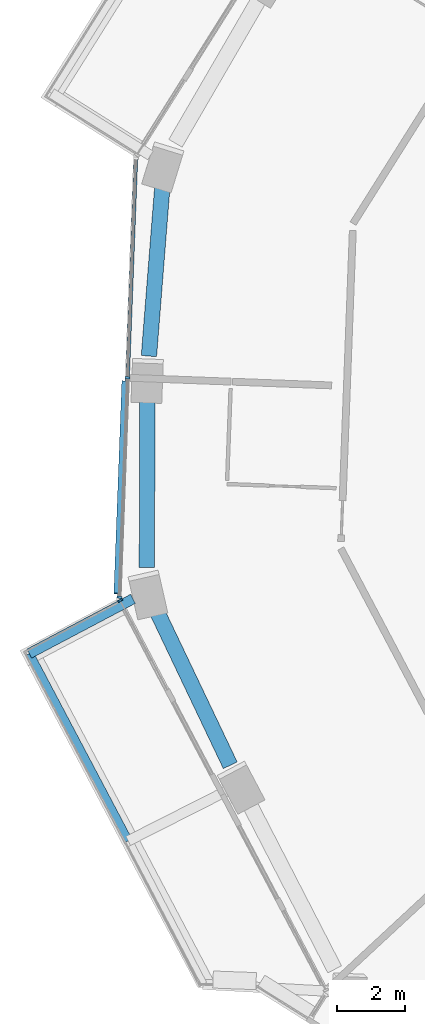
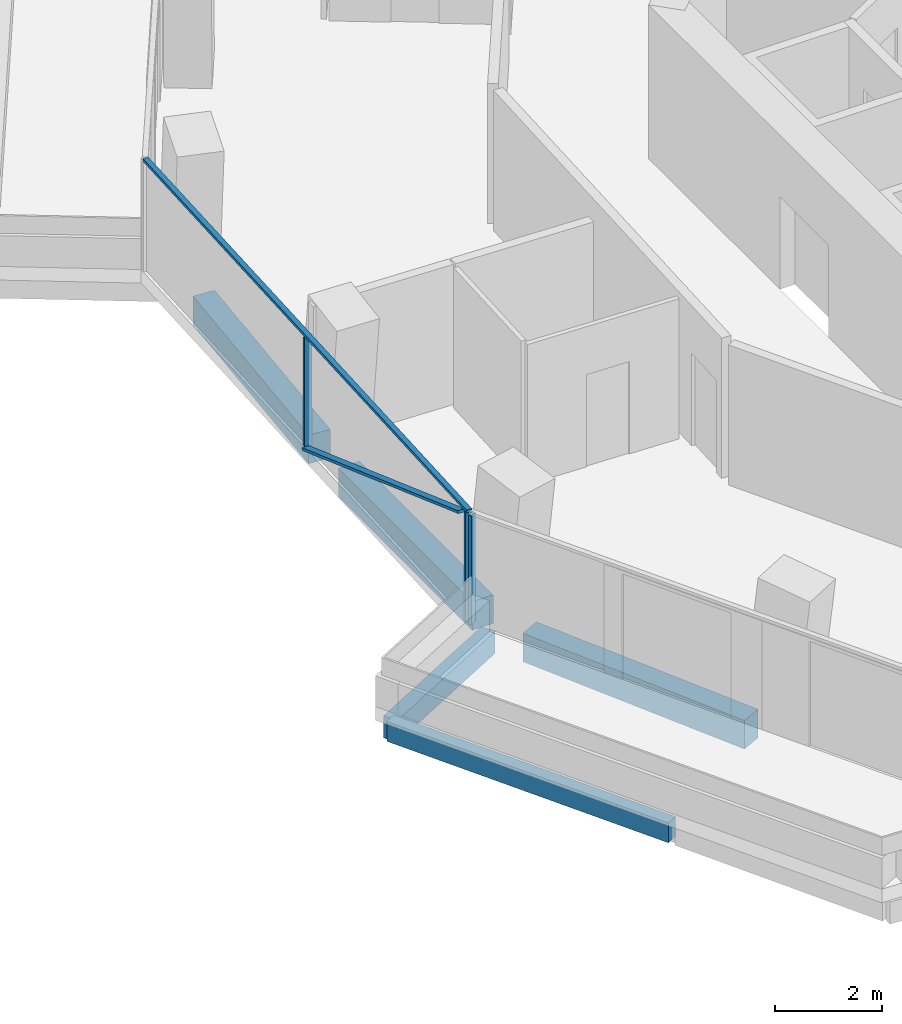
# One storey, part 4 of 23: 5 beams, 5 members, 2 elements without a shape of their own.
"""IFC4 building model written with IfcOpenShell, lengths in metres."""

from ifc_helpers import new_model, si_unit, direction, frame, origin, origin_2d, place, context, subcontext, project, spatial, rectangle, extrude, material, layer, layer_set, material_profile, profile_set, type_object, element, aggregate, save


model = new_model("IFC4")

# Units and contexts
model_context = context("Model", 3, precision=1e-05, world=origin(), true_north=direction((0.0, 1.0)))
body_context = subcontext(model_context, "Body", "Model", "MODEL_VIEW")
ifc_project = project(units=[si_unit("LENGTHUNIT", "METRE"), si_unit("AREAUNIT", "SQUARE_METRE"), si_unit("VOLUMEUNIT", "CUBIC_METRE"), si_unit("PLANEANGLEUNIT", "RADIAN"), si_unit("MASSUNIT", "GRAM", prefix="KILO")], contexts=[model_context])

# Site, building, storey
site_placement = place(None, origin())
site = spatial("IfcSite", under=ifc_project, at=site_placement, CompositionType="ELEMENT")
building_placement = place(site_placement, origin())
building = spatial("IfcBuilding", under=site, at=building_placement, Name="Verdalira Terraces Hotel", CompositionType="ELEMENT")
storey_placement = place(building_placement, frame((0.0, 0.0, 147.0)))
storey = spatial("IfcBuildingStorey", under=building, at=storey_placement, Name="L35", CompositionType="ELEMENT", Elevation=147.0)

# Beams
ifc_material_1 = material(Name="Concrete C40", Category="concrete")
ifc_material_profile_1 = material_profile(ifc_material_1, rectangle(XDim=0.300049, YDim=0.5, at=origin_2d()), Name="RC 300X500")
ifc_profile_set_1 = profile_set([ifc_material_profile_1], Name="Concrete C40")
beam_type_1 = type_object("IfcBeamType", Name="Balcony cantilever beam RC 300X500 C40", PredefinedType="BEAM", material=ifc_profile_set_1)
beam_1_placement = place(storey_placement, frame((-24.009277, -5.559814, -0.560059), z_axis=(-0.884259906, -0.466995094, 0.0), x_axis=(0.466995094, -0.884259906, 0.0)))
element("IfcBeam", 1, at=beam_1_placement, inside=storey, type_object=beam_type_1, Name="Balcony cantilever beam R13-1", PredefinedType="BEAM", context=body_context, shape_type="SweptSolid", body=[
    extrude(rectangle(XDim=0.300049, YDim=0.5, at=origin_2d()), origin(), (0.0, 0.0, 1.0), 3.431641),
])
ifc_material_2 = material(Name="Concrete C40", Category="concrete")
ifc_material_profile_2 = material_profile(ifc_material_2, rectangle(XDim=0.25, YDim=0.449951, at=origin_2d()), Name="RC 250X450")
ifc_profile_set_2 = profile_set([ifc_material_profile_2], Name="Concrete C40")
beam_type_2 = type_object("IfcBeamType", Name="Balcony edge beam RC 250X450 C40", PredefinedType="BEAM", material=ifc_profile_set_2)
beam_2_placement = place(storey_placement, frame((-27.043701, -7.162354, -0.534912), z_axis=(0.46701183, -0.884251068, 0.0), x_axis=(0.884251068, 0.46701183, 0.0)))
element("IfcBeam", 2, at=beam_2_placement, inside=storey, type_object=beam_type_2, Name="Balcony edge beam R13-1", PredefinedType="BEAM", context=body_context, shape_type="SweptSolid", body=[
    extrude(rectangle(XDim=0.25, YDim=0.449951, at=origin_2d()), origin(), (0.0, 0.0, 1.0), 6.200195),
])

# Curtain wall, members
ifc_material_3 = material(Name="Clear glass", Category="glass")
ifc_layer = layer(ifc_material_3, 0.14990234375)
ifc_layer_set = layer_set([ifc_layer], Name="CW1 curtain wall")
curtain_wall_type = type_object("IfcCurtainWallType", Name="CW1 curtain wall", PredefinedType="NOTDEFINED", material=ifc_layer_set)
curtain_wall_1_placement = place(storey_placement, origin())
curtain_wall_1 = element("IfcCurtainWall", 3, at=curtain_wall_1_placement, inside=storey, type_object=curtain_wall_type, Name="CW1 curtain wall L35 edge 12", PredefinedType="NOTDEFINED")
ifc_material_4 = material(Name="Terracotta frame", Category="masonry")
ifc_material_profile_3 = material_profile(ifc_material_4, rectangle(XDim=0.060059, YDim=0.149902, at=origin_2d()), Name="MU 60x150")
ifc_profile_set_3 = profile_set([ifc_material_profile_3], Name="Terracotta frame")
member_type_1 = type_object("IfcMemberType", Name="CW1 mullion 60x150", PredefinedType="MULLION", material=ifc_profile_set_3)
member_1_placement = place(storey_placement, frame((-24.16626, 0.911377, 0.0), z_axis=(0.0, 0.0, 1.0), x_axis=(-0.037690183, -0.999289473, 0.0)))
member_1 = element("IfcMember", 4, at=member_1_placement, type_object=member_type_1, Name="CW1 mullion", PredefinedType="MULLION", context=body_context, shape_type="SweptSolid", body=[
    extrude(rectangle(XDim=0.060059, YDim=0.149902, at=origin_2d()), origin(), (0.0, 0.0, 1.0), 2.475098),
])
member_2_placement = place(storey_placement, frame((-24.408447, -5.513672, 0.0), z_axis=(0.0, 0.0, 1.0), x_axis=(-0.037690183, -0.999289473, 0.0)))
member_2 = element("IfcMember", 5, at=member_2_placement, type_object=member_type_1, Name="CW1 mullion", PredefinedType="MULLION", context=body_context, shape_type="SweptSolid", body=[
    extrude(rectangle(XDim=0.060059, YDim=0.149902, at=origin_2d()), origin(), (0.0, 0.0, 1.0), 2.475098),
])

# Curtain wall, member
curtain_wall_2_placement = place(storey_placement, origin())
curtain_wall_2 = element("IfcCurtainWall", 6, at=curtain_wall_2_placement, inside=storey, type_object=curtain_wall_type, Name="CW1 curtain wall L35 edge 13", PredefinedType="NOTDEFINED")
member_3_placement = place(storey_placement, frame((-24.386963, -5.608154, 0.0), z_axis=(0.0, 0.0, 1.0), x_axis=(0.467004081, -0.88425516, 0.0)))
member_3 = element("IfcMember", 7, at=member_3_placement, type_object=member_type_1, Name="CW1 mullion", PredefinedType="MULLION", context=body_context, shape_type="SweptSolid", body=[
    extrude(rectangle(XDim=0.060059, YDim=0.149902, at=origin_2d()), origin(), (0.0, 0.0, 1.0), 2.475098),
])
aggregate(curtain_wall_2, [member_3])

# Member
ifc_material_5 = material(Name="Terracotta frame", Category="masonry")
ifc_material_profile_4 = material_profile(ifc_material_5, rectangle(XDim=0.110107, YDim=0.064941, at=origin_2d()), Name="TR 65x110")
ifc_profile_set_4 = profile_set([ifc_material_profile_4], Name="Terracotta frame")
member_type_2 = type_object("IfcMemberType", Name="CW1 transom 65x110", PredefinedType="USERDEFINED", material=ifc_profile_set_4)
member_4_placement = place(storey_placement, frame((-23.922607, 7.366699, 2.507568), z_axis=(-0.037699397, -0.999289125, 0.0), x_axis=(0.999289125, -0.037699397, 0.0)))
member_4 = element("IfcMember", 8, at=member_4_placement, type_object=member_type_2, Name="CW1 transom", ObjectType="TRANSOM", PredefinedType="USERDEFINED", context=body_context, shape_type="SweptSolid", body=[
    extrude(rectangle(XDim=0.110107, YDim=0.064941, at=origin_2d()), origin(), (0.0, 0.0, 1.0), 12.919678),
])

ifc_material_6 = material(Name="Terracotta frame", Category="masonry")
ifc_material_profile_5 = material_profile(ifc_material_6, rectangle(XDim=0.149902, YDim=0.060059, at=origin_2d()), Name="GB 60x150")
ifc_profile_set_5 = profile_set([ifc_material_profile_5], Name="Terracotta frame")
member_type_3 = type_object("IfcMemberType", Name="Diagonal glazing bar 60x150", PredefinedType="USERDEFINED", material=ifc_profile_set_5)
member_5_placement = place(storey_placement, frame((-24.259033, 0.811035, 0.028809), z_axis=(-0.035110695, -0.931457477, 0.362152189), x_axis=(0.999290324, -0.037667611, 0.0)))
member_5 = element("IfcMember", 9, at=member_5_placement, type_object=member_type_3, Name="Diagonal glazing bar", ObjectType="GLAZING BAR", PredefinedType="USERDEFINED", context=body_context, shape_type="SweptSolid", body=[
    extrude(rectangle(XDim=0.149902, YDim=0.060059, at=origin_2d()), origin(), (0.0, 0.0, 1.0), 6.675293),
])

aggregate(curtain_wall_1, [member_1, member_2, member_4, member_5])

# Beams
ifc_material_7 = material(Name="Concrete C50", Category="concrete")
ifc_material_profile_6 = material_profile(ifc_material_7, rectangle(XDim=0.449951, YDim=0.649902, at=origin_2d()), Name="RC 450X650")
ifc_profile_set_6 = profile_set([ifc_material_profile_6], Name="Concrete C50")
beam_type_3 = type_object("IfcBeamType", Name="Spandrel beam RC 450X650 C50", PredefinedType="SPANDREL", material=ifc_profile_set_6)
beam_3_placement = place(storey_placement, frame((-23.145996, 6.54541, -0.63501), z_axis=(-0.078955823, -0.996878116, 0.0), x_axis=(0.996878116, -0.078955823, 0.0)))
element("IfcBeam", 10, at=beam_3_placement, inside=storey, type_object=beam_type_3, Name="Spandrel beam B04", PredefinedType="SPANDREL", context=body_context, shape_type="SweptSolid", body=[
    extrude(rectangle(XDim=0.449951, YDim=0.649902, at=origin_2d()), origin(), (0.0, 0.0, 1.0), 5.015381),
])
beam_4_placement = place(storey_placement, frame((-23.5896, 0.364014, -0.63501), z_axis=(-0.002435334, -0.999997035, 0.0), x_axis=(0.999997035, -0.002435334, 0.0)))
element("IfcBeam", 11, at=beam_4_placement, inside=storey, type_object=beam_type_3, Name="Spandrel beam B05", PredefinedType="SPANDREL", context=body_context, shape_type="SweptSolid", body=[
    extrude(rectangle(XDim=0.449951, YDim=0.649902, at=origin_2d()), origin(), (0.0, 0.0, 1.0), 5.012451),
])
beam_5_placement = place(storey_placement, frame((-23.317627, -5.904541, -0.63501), z_axis=(0.430056392, -0.902802027, 0.0), x_axis=(0.902802027, 0.430056392, 0.0)))
element("IfcBeam", 12, at=beam_5_placement, inside=storey, type_object=beam_type_3, Name="Spandrel beam B06", PredefinedType="SPANDREL", context=body_context, shape_type="SweptSolid", body=[
    extrude(rectangle(XDim=0.449951, YDim=0.649902, at=origin_2d()), origin(), (0.0, 0.0, 1.0), 5.015625),
])

save(model, "model.ifc")
